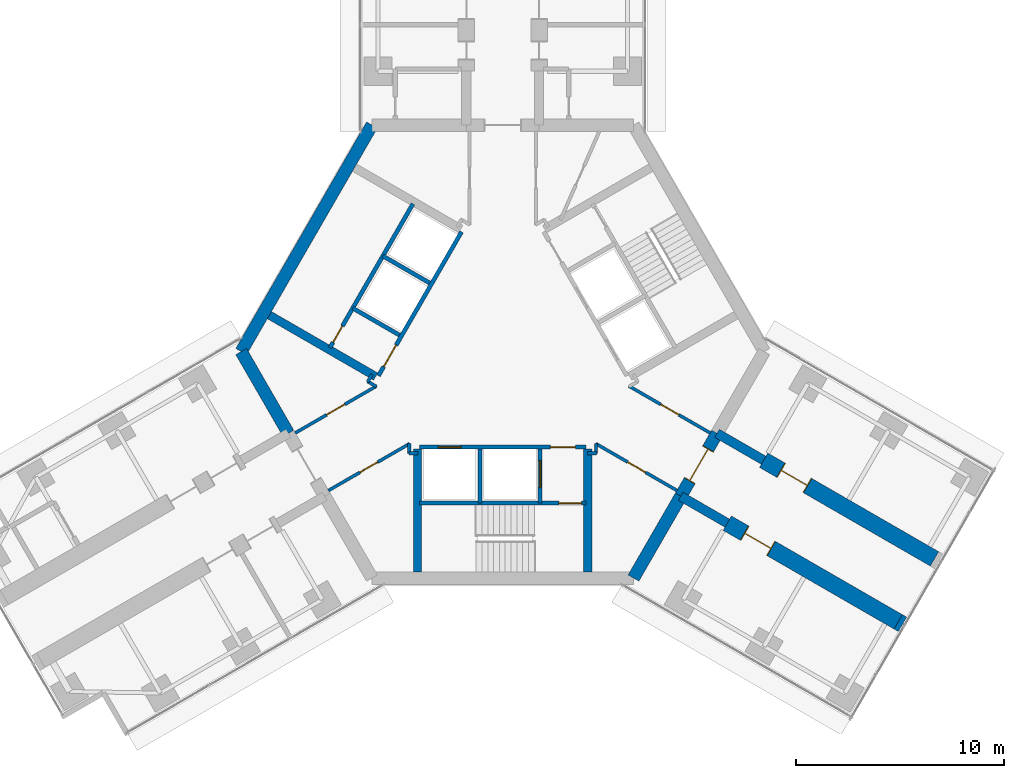
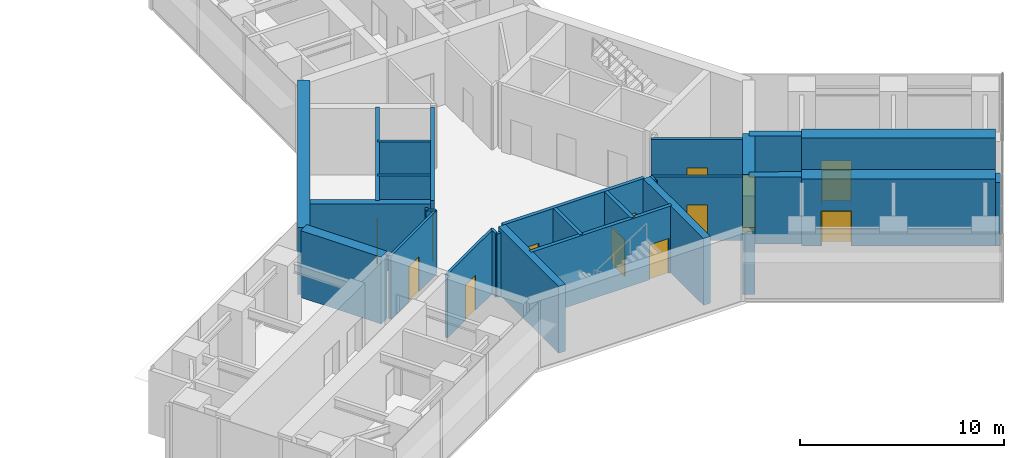
# One storey, part 18 of 21: 30 walls, 13 doors, 13 openings.
"""IFC4 building model written with IfcOpenShell, lengths in metres."""

from ifc_helpers import new_model, si_unit, direction, frame, frame_2d, origin, place, context, subcontext, project, spatial, rectangle, extrude, material, layer, layer_set, type_object, element, fill, save


model = new_model("IFC4")

# Units and contexts
model_context = context("Model", 3, precision=1e-05, world=origin(), true_north=direction((0.0, 1.0)))
body_context = subcontext(model_context, "Body", "Model", "MODEL_VIEW")
ifc_project = project(units=[si_unit("LENGTHUNIT", "METRE"), si_unit("AREAUNIT", "SQUARE_METRE"), si_unit("VOLUMEUNIT", "CUBIC_METRE"), si_unit("PLANEANGLEUNIT", "RADIAN"), si_unit("MASSUNIT", "GRAM", prefix="KILO")], contexts=[model_context])

# Site, building, storey
site_placement = place(None, origin())
site = spatial("IfcSite", under=ifc_project, at=site_placement, CompositionType="ELEMENT")
building_placement = place(site_placement, origin())
building = spatial("IfcBuilding", under=site, at=building_placement, Name="Upepo Twin Towers", CompositionType="ELEMENT")
storey_placement = place(building_placement, frame((0.0, 0.0, 101.5)))
storey = spatial("IfcBuildingStorey", under=building, at=storey_placement, Name="L24", CompositionType="ELEMENT", Elevation=101.5)

# Walls
ifc_material_1 = material(Name="Dense concrete blockwork", Category="masonry")
ifc_layer_1 = layer(ifc_material_1, 0.800048828125)
ifc_layer_set_1 = layer_set([ifc_layer_1], Name="Buttress closer 800, blockwork with fire-stopping to the curtain wall")
wall_type_1 = type_object("IfcWallType", Name="Buttress closer 800, blockwork with fire-stopping to the curtain wall", PredefinedType="PARTITIONING", material=ifc_layer_set_1)
wall_1_placement = place(storey_placement, frame((77.543701171875, -31.015625, 0.0), z_axis=(0.0, 0.0, 1.0), x_axis=(0.865827443207, -0.500342721131, 0.0)))
element("IfcWall", 1, at=wall_1_placement, inside=storey, type_object=wall_type_1, Name="T2 L24 wing C buttress closer R", PredefinedType="PARTITIONING", context=body_context, shape_type="SweptSolid", body=[
    extrude(rectangle(XDim=0.249755859375, YDim=0.800048828125, at=frame_2d((0.125, 0.0))), origin(), (0.0, 0.0, 1.0), 3.800048828125),
])
ifc_material_2 = material(Name="Concrete C60/75", Category="concrete")
ifc_layer_2 = layer(ifc_material_2, 0.449951171875)
ifc_layer_set_2 = layer_set([ifc_layer_2], Name="Concrete C60/75")
wall_type_2 = type_object("IfcWallType", Name="Buttress wall 450 RC", PredefinedType="SHEAR", material=ifc_layer_set_2)
for number, where, z_axis, x_axis, name in (
    (2, (68.82177734375, -21.938720703125, 0.0), (0.0, 0.0, 1.0), (0.866072649678, -0.499918158782, 0.0), "T2 wing C buttress wall L"),
    (3, (67.07177734375, -24.9697265625, 0.0), (0.0, 0.0, 1.0), (0.866031863473, -0.499988811324, 0.0), "T2 wing C buttress wall R"),
):
    element("IfcWall", number, at=place(storey_placement, frame(where, z_axis=z_axis, x_axis=x_axis)), inside=storey, type_object=wall_type_2, Name=name, PredefinedType="SHEAR", context=body_context, shape_type="SweptSolid", body=[
        extrude(rectangle(XDim=2.591796875, YDim=0.449951171875, at=frame_2d((1.2958984375, 0.0))), origin(), (0.0, 0.0, 1.0), 4.0),
    ])

# Wall, opening, door
ifc_material_3 = material(Name="Concrete C60/75", Category="concrete")
ifc_layer_3 = layer(ifc_material_3, 0.800048828125)
ifc_layer_set_3 = layer_set([ifc_layer_3], Name="Concrete C60/75")
wall_type_3 = type_object("IfcWallType", Name="Buttress wall 800 RC", PredefinedType="SHEAR", material=ifc_layer_set_3)
wall_2_placement = place(storey_placement, frame((71.06640625, -23.234375, 0.0), z_axis=(0.0, 0.0, 1.0), x_axis=(0.86602681393, -0.499997557548, 0.0)))
wall_2 = element("IfcWall", 4, at=wall_2_placement, inside=storey, type_object=wall_type_3, Name="T2 wing C buttress wall L part 2", PredefinedType="SHEAR", context=body_context, shape_type="SweptSolid", body=[
    extrude(rectangle(XDim=9.5, YDim=0.800048828125, at=frame_2d((4.75, 0.0))), origin(), (0.0, 0.0, 1.0), 4.0),
])
opening_1_placement = place(wall_2_placement, frame((0.949951171875, 0.0, 0.0)))
opening_1 = element("IfcOpeningElement", 5, at=opening_1_placement, cuts=wall_2, Name="Opening D13", PredefinedType="OPENING", context=body_context, shape_type="SweptSolid", body=[
    extrude(rectangle(XDim=1.5, YDim=2.10009765625, at=frame_2d((0.75, 1.050048828125))), frame((0.0, 0.409912109375, 0.0), z_axis=(0.0, -1.0, 0.0), x_axis=(1.0, 0.0, 0.0)), (0.0, 0.0, 1.0), 0.820068359375),
])
ifc_material_4 = material(Name="Timber doorset", Category="wood")
door_type_1 = type_object("IfcDoorType", Name="Double door 1500 FD30", OperationType="DOUBLE_DOOR_SINGLE_SWING", PredefinedType="DOOR", material=ifc_material_4)
door_1_placement = place(opening_1_placement, origin())
door_1 = element("IfcDoor", 6, at=door_1_placement, inside=storey, type_object=door_type_1, Name="T2 L24 tutorial room door", OperationType="DOUBLE_DOOR_SINGLE_SWING", OverallHeight=2.10009765625, OverallWidth=1.5, PredefinedType="DOOR", context=body_context, shape_type="SweptSolid", body=[
    extrude(rectangle(XDim=1.42, YDim=2.06009765625, at=frame_2d((0.75, 1.030029296875))), frame((0.0, 0.02490234375, 0.0), z_axis=(0.0, -1.0, 0.0), x_axis=(1.0, 0.0, 0.0)), (0.0, 0.0, 1.0), 0.050048828125),
    extrude(rectangle(XDim=0.04, YDim=2.10009765625, at=frame_2d((0.02001953125, 1.050048828125))), frame((0.0, 0.39990234375, 0.0), z_axis=(0.0, -1.0, 0.0), x_axis=(1.0, 0.0, 0.0)), (0.0, 0.0, 1.0), 0.799560546875),
    extrude(rectangle(XDim=0.04, YDim=2.10009765625, at=frame_2d((1.47998046875, 1.050048828125))), frame((0.0, 0.39990234375, 0.0), z_axis=(0.0, -1.0, 0.0), x_axis=(1.0, 0.0, 0.0)), (0.0, 0.0, 1.0), 0.799560546875),
    extrude(rectangle(XDim=1.42, YDim=0.04, at=frame_2d((0.75, 2.080078125))), frame((0.0, 0.39990234375, 0.0), z_axis=(0.0, -1.0, 0.0), x_axis=(1.0, 0.0, 0.0)), (0.0, 0.0, 1.0), 0.799560546875),
])
fill(opening_1, door_1)

wall_3_placement = place(storey_placement, frame((69.31640625, -26.265625, 0.0), z_axis=(0.0, 0.0, 1.0), x_axis=(0.86602681393, -0.499997557548, 0.0)))
wall_3 = element("IfcWall", 7, at=wall_3_placement, inside=storey, type_object=wall_type_3, Name="T2 wing C buttress wall R part 2", PredefinedType="SHEAR", context=body_context, shape_type="SweptSolid", body=[
    extrude(rectangle(XDim=9.5, YDim=0.800048828125, at=frame_2d((4.75, 0.0))), origin(), (0.0, 0.0, 1.0), 4.0),
])
opening_2_placement = place(wall_3_placement, frame((0.949951171875, 0.0, 0.0)))
opening_2 = element("IfcOpeningElement", 8, at=opening_2_placement, cuts=wall_3, Name="Opening D13", PredefinedType="OPENING", context=body_context, shape_type="SweptSolid", body=[
    extrude(rectangle(XDim=1.5, YDim=2.10009765625, at=frame_2d((0.75, 1.050048828125))), frame((0.0, 0.409912109375, 0.0), z_axis=(0.0, -1.0, 0.0), x_axis=(1.0, 0.0, 0.0)), (0.0, 0.0, 1.0), 0.820068359375),
])
door_2_placement = place(opening_2_placement, origin())
door_2 = element("IfcDoor", 9, at=door_2_placement, inside=storey, type_object=door_type_1, Name="T2 L24 tutorial room door", OperationType="DOUBLE_DOOR_SINGLE_SWING", OverallHeight=2.10009765625, OverallWidth=1.5, PredefinedType="DOOR", context=body_context, shape_type="SweptSolid", body=[
    extrude(rectangle(XDim=1.42, YDim=2.06009765625, at=frame_2d((0.75, 1.030029296875))), frame((0.0, 0.02490234375, 0.0), z_axis=(0.0, -1.0, 0.0), x_axis=(1.0, 0.0, 0.0)), (0.0, 0.0, 1.0), 0.050048828125),
    extrude(rectangle(XDim=0.04, YDim=2.10009765625, at=frame_2d((0.02001953125, 1.050048828125))), frame((0.0, 0.39990234375, 0.0), z_axis=(0.0, -1.0, 0.0), x_axis=(1.0, 0.0, 0.0)), (0.0, 0.0, 1.0), 0.799560546875),
    extrude(rectangle(XDim=0.04, YDim=2.10009765625, at=frame_2d((1.47998046875, 1.050048828125))), frame((0.0, 0.39990234375, 0.0), z_axis=(0.0, -1.0, 0.0), x_axis=(1.0, 0.0, 0.0)), (0.0, 0.0, 1.0), 0.799560546875),
    extrude(rectangle(XDim=1.42, YDim=0.04, at=frame_2d((0.75, 2.080078125))), frame((0.0, 0.39990234375, 0.0), z_axis=(0.0, -1.0, 0.0), x_axis=(1.0, 0.0, 0.0)), (0.0, 0.0, 1.0), 0.799560546875),
])
fill(opening_2, door_2)

# Walls
ifc_material_5 = material(Name="Concrete C60/75", Category="concrete")
ifc_layer_4 = layer(ifc_material_5, 0.60009765625)
ifc_layer_set_4 = layer_set([ifc_layer_4], Name="Concrete C60/75")
wall_type_4 = type_object("IfcWallType", Name="Core wall 600 RC", PredefinedType="SHEAR", material=ifc_layer_set_4)
wall_4_placement = place(storey_placement, frame((52.2021484375, -7.091552734375, 0.0), z_axis=(0.0, 0.0, 1.0), x_axis=(-0.500005998175, -0.866021940709, 0.0)))
element("IfcWall", 10, at=wall_4_placement, inside=storey, type_object=wall_type_4, Name="T2 core wall 060", PredefinedType="SHEAR", context=body_context, shape_type="SweptSolid", body=[
    extrude(rectangle(XDim=12.595947265625, YDim=0.60009765625, at=frame_2d((6.2978515625, 0.0))), origin(), (0.0, 0.0, 1.0), 4.0),
])
for number, where, z_axis, x_axis, name in (
    (11, (45.904052734375, -18.0, 0.0), (0.0, 0.0, 1.0), (0.500024481964, -0.866011268655, 0.0), "T2 core wall 120 R"),
    (12, (64.7978515625, -28.908447265625, 0.0), (0.0, 0.0, 1.0), (0.499984222037, 0.866034513004, 0.0), "T2 core wall 240 R"),
):
    element("IfcWall", number, at=place(storey_placement, frame(where, z_axis=z_axis, x_axis=x_axis)), inside=storey, type_object=wall_type_4, Name=name, PredefinedType="SHEAR", context=body_context, shape_type="SweptSolid", body=[
        extrude(rectangle(XDim=4.548095703125, YDim=0.60009765625, at=frame_2d((2.27392578125, 0.0))), origin(), (0.0, 0.0, 1.0), 4.0),
    ])

# Wall, opening, door
wall_5_placement = place(storey_placement, frame((67.07177734375, -24.9697265625, 0.0), z_axis=(0.0, 0.0, 1.0), x_axis=(0.500010275428, 0.866019471182, 0.0)))
wall_5 = element("IfcWall", 13, at=wall_5_placement, inside=storey, type_object=wall_type_4, Name="T2 core wall 240", PredefinedType="SHEAR", context=body_context, shape_type="SweptSolid", body=[
    extrude(rectangle(XDim=3.5, YDim=0.60009765625, at=frame_2d((1.75, 0.0))), origin(), (0.0, 0.0, 1.0), 4.0),
])
opening_3_placement = place(wall_5_placement, frame((0.85009765625, 0.0, 0.0)))
opening_3 = element("IfcOpeningElement", 14, at=opening_3_placement, cuts=wall_5, Name="Opening D2", PredefinedType="OPENING", context=body_context, shape_type="SweptSolid", body=[
    extrude(rectangle(XDim=1.800048828125, YDim=2.10009765625, at=frame_2d((0.89990234375, 1.050048828125))), frame((0.0, 0.31005859375, 0.0), z_axis=(0.0, -1.0, 0.0), x_axis=(1.0, 0.0, 0.0)), (0.0, 0.0, 1.0), 0.6201171875),
])
ifc_material_6 = material(Name="Timber doorset", Category="wood")
door_type_2 = type_object("IfcDoorType", Name="Corridor double door 1800 FD60", OperationType="DOUBLE_DOOR_DOUBLE_SWING", PredefinedType="DOOR", material=ifc_material_6)
door_3_placement = place(opening_3_placement, origin())
door_3 = element("IfcDoor", 15, at=door_3_placement, inside=storey, type_object=door_type_2, Name="T2 L24 wing C corridor door", OperationType="DOUBLE_DOOR_DOUBLE_SWING", OverallHeight=2.10009765625, OverallWidth=1.800048828125, PredefinedType="DOOR", context=body_context, shape_type="SweptSolid", body=[
    extrude(rectangle(XDim=1.720048828125, YDim=2.06009765625, at=frame_2d((0.89990234375, 1.030029296875))), frame((0.0, 0.02490234375, 0.0), z_axis=(0.0, -1.0, 0.0), x_axis=(1.0, 0.0, 0.0)), (0.0, 0.0, 1.0), 0.050048828125),
    extrude(rectangle(XDim=0.04, YDim=2.10009765625, at=frame_2d((0.02001953125, 1.050048828125))), frame((0.0, 0.2998046875, 0.0), z_axis=(0.0, -1.0, 0.0), x_axis=(1.0, 0.0, 0.0)), (0.0, 0.0, 1.0), 0.599609375),
    extrude(rectangle(XDim=0.04, YDim=2.10009765625, at=frame_2d((1.780029296875, 1.050048828125))), frame((0.0, 0.2998046875, 0.0), z_axis=(0.0, -1.0, 0.0), x_axis=(1.0, 0.0, 0.0)), (0.0, 0.0, 1.0), 0.599609375),
    extrude(rectangle(XDim=1.720048828125, YDim=0.04, at=frame_2d((0.89990234375, 2.080078125))), frame((0.0, 0.2998046875, 0.0), z_axis=(0.0, -1.0, 0.0), x_axis=(1.0, 0.0, 0.0)), (0.0, 0.0, 1.0), 0.599609375),
])
fill(opening_3, door_3)

ifc_material_7 = material(Name="Concrete C40/50", Category="concrete")
ifc_layer_5 = layer(ifc_material_7, 0.199951171875)
ifc_layer_set_5 = layer_set([ifc_layer_5], Name="Concrete C40/50")
wall_type_5 = type_object("IfcWallType", Name="Shaft wall 200 RC", PredefinedType="SHEAR", material=ifc_layer_set_5)
wall_6_placement = place(storey_placement, frame((56.516357421875, -12.23583984375, 0.0), z_axis=(0.0, 0.0, 1.0), x_axis=(-0.49999894854, -0.866026010844, 0.0)))
wall_6 = element("IfcWall", 16, at=wall_6_placement, inside=storey, type_object=wall_type_5, Name="T2 core W60 front wall", PredefinedType="SHEAR", context=body_context, shape_type="SweptSolid", body=[
    extrude(rectangle(XDim=8.0, YDim=0.199951171875, at=frame_2d((4.0, 0.0))), origin(), (0.0, 0.0, 1.0), 4.0),
])
opening_4_placement = place(wall_6_placement, frame((6.300048828125, 0.0, 0.0)))
opening_4 = element("IfcOpeningElement", 17, at=opening_4_placement, cuts=wall_6, Name="Opening D4", PredefinedType="OPENING", context=body_context, shape_type="SweptSolid", body=[
    extrude(rectangle(XDim=1.199951171875, YDim=2.10009765625, at=frame_2d((0.60009765625, 1.050048828125))), frame((0.0, 0.10986328125, 0.0), z_axis=(0.0, -1.0, 0.0), x_axis=(1.0, 0.0, 0.0)), (0.0, 0.0, 1.0), 0.219970703125),
])
ifc_material_8 = material(Name="Timber doorset", Category="wood")
door_type_3 = type_object("IfcDoorType", Name="Lobby door 1200 FD60", OperationType="SINGLE_SWING_LEFT", PredefinedType="DOOR", material=ifc_material_8)
door_4_placement = place(opening_4_placement, origin())
door_4 = element("IfcDoor", 18, at=door_4_placement, inside=storey, type_object=door_type_3, Name="T2 L24 W60 lobby door", OperationType="SINGLE_SWING_RIGHT", OverallHeight=2.10009765625, OverallWidth=1.199951171875, PredefinedType="DOOR", context=body_context, shape_type="SweptSolid", body=[
    extrude(rectangle(XDim=1.199951171875, YDim=2.10009765625, at=frame_2d((0.60009765625, 1.050048828125))), frame((0.0, 0.02490234375, 0.0), z_axis=(0.0, -1.0, 0.0), x_axis=(1.0, 0.0, 0.0)), (0.0, 0.0, 1.0), 0.050048828125),
])
fill(opening_4, door_4)

# Walls
for number, where, z_axis, x_axis, name in (
    (19, (54.979736328125, -14.697265625, 0.0), (0.0, 0.0, 1.0), (-0.866062058628, 0.499936506574, 0.0), "T2 core W60 shaft divider"),
    (20, (53.52978515625, -17.208740234375, 0.0), (0.0, 0.0, 1.0), (-0.866062058628, 0.499936506574, 0.0), "T2 core W60 lobby wall"),
):
    element("IfcWall", number, at=place(storey_placement, frame(where, z_axis=z_axis, x_axis=x_axis)), inside=storey, type_object=wall_type_5, Name=name, PredefinedType="SHEAR", context=body_context, shape_type="SweptSolid", body=[
        extrude(rectangle(XDim=2.599853515625, YDim=0.199951171875, at=frame_2d((1.2998046875, 0.0))), origin(), (0.0, 0.0, 1.0), 4.0),
    ])

# Wall, opening, door
wall_7_placement = place(storey_placement, frame((54.177978515625, -10.885986328125, 0.0), z_axis=(0.0, 0.0, 1.0), x_axis=(-0.49999894854, -0.866026010844, 0.0)))
wall_7 = element("IfcWall", 21, at=wall_7_placement, inside=storey, type_object=wall_type_5, Name="T2 core W60 stair wall", PredefinedType="SHEAR", context=body_context, shape_type="SweptSolid", body=[
    extrude(rectangle(XDim=8.0, YDim=0.199951171875, at=frame_2d((4.0, 0.0))), origin(), (0.0, 0.0, 1.0), 4.0),
])
opening_5_placement = place(wall_7_placement, frame((6.800048828125, 0.0, 0.0)))
opening_5 = element("IfcOpeningElement", 22, at=opening_5_placement, cuts=wall_7, Name="Opening D9", PredefinedType="OPENING", context=body_context, shape_type="SweptSolid", body=[
    extrude(rectangle(XDim=0.89990234375, YDim=2.10009765625, at=frame_2d((0.449951171875, 1.050048828125))), frame((0.0, 0.10986328125, 0.0), z_axis=(0.0, -1.0, 0.0), x_axis=(1.0, 0.0, 0.0)), (0.0, 0.0, 1.0), 0.219970703125),
])
ifc_material_9 = material(Name="Timber doorset", Category="wood")
door_type_4 = type_object("IfcDoorType", Name="Riser door 900 FD60", OperationType="SINGLE_SWING_LEFT", PredefinedType="DOOR", material=ifc_material_9)
door_5_placement = place(opening_5_placement, origin())
door_5 = element("IfcDoor", 23, at=door_5_placement, inside=storey, type_object=door_type_4, Name="T2 L24 riser door", OperationType="SINGLE_SWING_RIGHT", OverallHeight=2.10009765625, OverallWidth=0.89990234375, PredefinedType="DOOR", context=body_context, shape_type="SweptSolid", body=[
    extrude(rectangle(XDim=0.89990234375, YDim=2.10009765625, at=frame_2d((0.449951171875, 1.050048828125))), frame((0.0, 0.02490234375, 0.0), z_axis=(0.0, -1.0, 0.0), x_axis=(1.0, 0.0, 0.0)), (0.0, 0.0, 1.0), 0.050048828125),
])
fill(opening_5, door_5)

# Wall, openings, doors
wall_8_placement = place(storey_placement, frame((54.5, -22.60009765625, 0.0), z_axis=(0.0, 0.0, 1.0), x_axis=(1.0, 0.0, 0.0)))
wall_8 = element("IfcWall", 24, at=wall_8_placement, inside=storey, type_object=wall_type_5, Name="T2 core W180 front wall", PredefinedType="SHEAR", context=body_context, shape_type="SweptSolid", body=[
    extrude(rectangle(XDim=8.0, YDim=0.199951171875, at=frame_2d((4.0, 0.0))), origin(), (0.0, 0.0, 1.0), 4.0),
])
opening_6_placement = place(wall_8_placement, frame((6.300048828125, 0.0, 0.0)))
opening_6 = element("IfcOpeningElement", 25, at=opening_6_placement, cuts=wall_8, Name="Opening D4", PredefinedType="OPENING", context=body_context, shape_type="SweptSolid", body=[
    extrude(rectangle(XDim=1.199951171875, YDim=2.10009765625, at=frame_2d((0.60009765625, 1.050048828125))), frame((0.0, 0.10986328125, 0.0), z_axis=(0.0, -1.0, 0.0), x_axis=(1.0, 0.0, 0.0)), (0.0, 0.0, 1.0), 0.219970703125),
])
opening_7_placement = place(wall_8_placement, frame((0.89990234375, 0.0, 0.0)))
opening_7 = element("IfcOpeningElement", 26, at=opening_7_placement, cuts=wall_8, Name="Opening LD1", PredefinedType="OPENING", context=body_context, shape_type="SweptSolid", body=[
    extrude(rectangle(XDim=1.10009765625, YDim=2.199951171875, at=frame_2d((0.550048828125, 1.10009765625))), frame((0.0, 0.10986328125, 0.0), z_axis=(0.0, -1.0, 0.0), x_axis=(1.0, 0.0, 0.0)), (0.0, 0.0, 1.0), 0.219970703125),
])
ifc_material_10 = material(Name="Steel doorset", Category="steel")
door_type_5 = type_object("IfcDoorType", Name="Lift landing door 1100", OperationType="DOUBLE_DOOR_SLIDING", PredefinedType="DOOR", material=ifc_material_10)
door_6_placement = place(opening_7_placement, origin())
door_6 = element("IfcDoor", 27, at=door_6_placement, inside=storey, type_object=door_type_5, Name="T2 L24 lift SV1 landing door", OperationType="DOUBLE_DOOR_SLIDING", OverallHeight=2.199951171875, OverallWidth=1.10009765625, PredefinedType="DOOR", context=body_context, shape_type="SweptSolid", body=[
    extrude(rectangle(XDim=1.10009765625, YDim=2.199951171875, at=frame_2d((0.550048828125, 1.10009765625))), frame((0.0, 0.02490234375, 0.0), z_axis=(0.0, -1.0, 0.0), x_axis=(1.0, 0.0, 0.0)), (0.0, 0.0, 1.0), 0.050048828125),
])
fill(opening_7, door_6)
door_7_placement = place(opening_6_placement, origin())
door_7 = element("IfcDoor", 28, at=door_7_placement, inside=storey, type_object=door_type_3, Name="T2 L24 W180 lobby door", OperationType="SINGLE_SWING_RIGHT", OverallHeight=2.10009765625, OverallWidth=1.199951171875, PredefinedType="DOOR", context=body_context, shape_type="SweptSolid", body=[
    extrude(rectangle(XDim=1.199951171875, YDim=2.10009765625, at=frame_2d((0.60009765625, 1.050048828125))), frame((0.0, 0.02490234375, 0.0), z_axis=(0.0, -1.0, 0.0), x_axis=(1.0, 0.0, 0.0)), (0.0, 0.0, 1.0), 0.050048828125),
])
fill(opening_6, door_7)

# Wall
wall_9_placement = place(storey_placement, frame((57.39990234375, -22.699951171875, 0.0), z_axis=(0.0, 0.0, 1.0), x_axis=(0.0, -1.0, 0.0)))
element("IfcWall", 29, at=wall_9_placement, inside=storey, type_object=wall_type_5, Name="T2 core W180 shaft divider", PredefinedType="SHEAR", context=body_context, shape_type="SweptSolid", body=[
    extrude(rectangle(XDim=2.60009765625, YDim=0.199951171875, at=frame_2d((1.300048828125, 0.0))), origin(), (0.0, 0.0, 1.0), 4.0),
])

# Wall, opening, door
wall_10_placement = place(storey_placement, frame((60.300048828125, -22.699951171875, 0.0), z_axis=(0.0, 0.0, 1.0), x_axis=(0.0, -1.0, 0.0)))
wall_10 = element("IfcWall", 30, at=wall_10_placement, inside=storey, type_object=wall_type_5, Name="T2 core W180 lobby wall", PredefinedType="SHEAR", context=body_context, shape_type="SweptSolid", body=[
    extrude(rectangle(XDim=2.60009765625, YDim=0.199951171875, at=frame_2d((1.300048828125, 0.0))), origin(), (0.0, 0.0, 1.0), 4.0),
])
opening_8_placement = place(wall_10_placement, frame((0.550048828125, 0.0, 0.0)))
opening_8 = element("IfcOpeningElement", 31, at=opening_8_placement, cuts=wall_10, Name="Opening LD2", PredefinedType="OPENING", context=body_context, shape_type="SweptSolid", body=[
    extrude(rectangle(XDim=1.300048828125, YDim=2.199951171875, at=frame_2d((0.64990234375, 1.10009765625))), frame((0.0, 0.10986328125, 0.0), z_axis=(0.0, -1.0, 0.0), x_axis=(1.0, 0.0, 0.0)), (0.0, 0.0, 1.0), 0.219970703125),
])
ifc_material_11 = material(Name="Steel doorset", Category="steel")
door_type_6 = type_object("IfcDoorType", Name="Firefighting lift landing door 1300", OperationType="DOUBLE_DOOR_SLIDING", PredefinedType="DOOR", material=ifc_material_11)
door_8_placement = place(opening_8_placement, origin())
door_8 = element("IfcDoor", 32, at=door_8_placement, inside=storey, type_object=door_type_6, Name="T2 L24 firefighting lift landing door", OperationType="DOUBLE_DOOR_SLIDING", OverallHeight=2.199951171875, OverallWidth=1.300048828125, PredefinedType="DOOR", context=body_context, shape_type="SweptSolid", body=[
    extrude(rectangle(XDim=1.300048828125, YDim=2.199951171875, at=frame_2d((0.64990234375, 1.10009765625))), frame((0.0, 0.02490234375, 0.0), z_axis=(0.0, -1.0, 0.0), x_axis=(1.0, 0.0, 0.0)), (0.0, 0.0, 1.0), 0.050048828125),
])
fill(opening_8, door_8)

wall_11_placement = place(storey_placement, frame((54.5, -25.300048828125, 0.0), z_axis=(0.0, 0.0, 1.0), x_axis=(1.0, 0.0, 0.0)))
wall_11 = element("IfcWall", 33, at=wall_11_placement, inside=storey, type_object=wall_type_5, Name="T2 core W180 stair wall", PredefinedType="SHEAR", context=body_context, shape_type="SweptSolid", body=[
    extrude(rectangle(XDim=8.0, YDim=0.199951171875, at=frame_2d((4.0, 0.0))), origin(), (0.0, 0.0, 1.0), 4.0),
])
opening_9_placement = place(wall_11_placement, frame((6.699951171875, 0.0, 0.0)))
opening_9 = element("IfcOpeningElement", 34, at=opening_9_placement, cuts=wall_11, Name="Opening D3", PredefinedType="OPENING", context=body_context, shape_type="SweptSolid", body=[
    extrude(rectangle(XDim=1.10009765625, YDim=2.10009765625, at=frame_2d((0.550048828125, 1.050048828125))), frame((0.0, 0.10986328125, 0.0), z_axis=(0.0, -1.0, 0.0), x_axis=(1.0, 0.0, 0.0)), (0.0, 0.0, 1.0), 0.219970703125),
])
ifc_material_12 = material(Name="Timber doorset", Category="wood")
door_type_7 = type_object("IfcDoorType", Name="Stair door 1100 FD60", OperationType="SINGLE_SWING_LEFT", PredefinedType="DOOR", material=ifc_material_12)
door_9_placement = place(opening_9_placement, origin())
door_9 = element("IfcDoor", 35, at=door_9_placement, inside=storey, type_object=door_type_7, Name="T2 L24 stair door", OperationType="SINGLE_SWING_RIGHT", OverallHeight=2.10009765625, OverallWidth=1.10009765625, PredefinedType="DOOR", context=body_context, shape_type="SweptSolid", body=[
    extrude(rectangle(XDim=1.10009765625, YDim=2.10009765625, at=frame_2d((0.550048828125, 1.050048828125))), frame((0.0, 0.02490234375, 0.0), z_axis=(0.0, -1.0, 0.0), x_axis=(1.0, 0.0, 0.0)), (0.0, 0.0, 1.0), 0.050048828125),
])
fill(opening_9, door_9)

# Walls
ifc_material_13 = material(Name="Concrete C40/50", Category="concrete")
ifc_layer_6 = layer(ifc_material_13, 0.39990234375)
ifc_layer_set_6 = layer_set([ifc_layer_6], Name="Concrete C40/50")
wall_type_6 = type_object("IfcWallType", Name="Shaft wall 400 RC", PredefinedType="SHEAR", material=ifc_layer_set_6)
wall_12_placement = place(storey_placement, frame((52.379638671875, -19.20068359375, 0.0), z_axis=(0.0, 0.0, 1.0), x_axis=(-0.866027317282, 0.49999668571, 0.0)))
element("IfcWall", 36, at=wall_12_placement, inside=storey, type_object=wall_type_6, Name="T2 core W60 side wall N", PredefinedType="SHEAR", context=body_context, shape_type="SweptSolid", body=[
    extrude(rectangle(XDim=5.908203125, YDim=0.39990234375, at=frame_2d((2.9541015625, 0.0))), origin(), (0.0, 0.0, 1.0), 4.0),
])
for number, where, z_axis, x_axis, name in (
    (37, (62.60009765625, -22.699951171875, 0.0), (0.0, 0.0, 1.0), (0.0, -1.0, 0.0), "T2 core W180 side wall N"),
    (38, (54.39990234375, -22.699951171875, 0.0), (0.0, 0.0, 1.0), (0.0, -1.0, 0.0), "T2 core W180 side wall S"),
):
    element("IfcWall", number, at=place(storey_placement, frame(where, z_axis=z_axis, x_axis=x_axis)), inside=storey, type_object=wall_type_6, Name=name, PredefinedType="SHEAR", context=body_context, shape_type="SweptSolid", body=[
        extrude(rectangle(XDim=5.908447265625, YDim=0.39990234375, at=frame_2d((2.9541015625, 0.0))), origin(), (0.0, 0.0, 1.0), 4.0),
    ])
ifc_material_14 = material(Name="Gypsum board on steel studs", Category="steel")
ifc_layer_7 = layer(ifc_material_14, 0.14990234375)
ifc_layer_set_7 = layer_set([ifc_layer_7], Name="Teaching partition 150 acoustic")
wall_type_7 = type_object("IfcWallType", Name="Teaching partition 150 acoustic", PredefinedType="PARTITIONING", material=ifc_layer_set_7)
wall_13_placement = place(storey_placement, frame((54.0, -22.919921875, 0.0), z_axis=(0.0, 0.0, 1.0), x_axis=(0.0, 1.0, 0.0)))
element("IfcWall", 39, at=wall_13_placement, inside=storey, type_object=wall_type_7, Name="T2 core room partition 1", PredefinedType="PARTITIONING", context=body_context, shape_type="SweptSolid", body=[
    extrude(rectangle(XDim=0.494384765625, YDim=0.14990234375, at=frame_2d((0.2470703125, 0.0))), origin(), (0.0, 0.0, 1.0), 3.800048828125),
])

# Wall, opening, door
wall_14_placement = place(storey_placement, frame((54.017333984375, -22.435546875, 0.0), z_axis=(0.0, 0.0, 1.0), x_axis=(-0.86602002524, -0.500009315796, 0.0)))
wall_14 = element("IfcWall", 40, at=wall_14_placement, inside=storey, type_object=wall_type_7, Name="T2 core room partition 2", PredefinedType="PARTITIONING", context=body_context, shape_type="SweptSolid", body=[
    extrude(rectangle(XDim=4.5185546875, YDim=0.14990234375, at=frame_2d((2.25927734375, 0.0))), origin(), (0.0, 0.0, 1.0), 3.800048828125),
])
opening_10_placement = place(wall_14_placement, frame((1.769287109375, 0.0, 0.0)))
opening_10 = element("IfcOpeningElement", 41, at=opening_10_placement, cuts=wall_14, Name="Opening D1", PredefinedType="OPENING", context=body_context, shape_type="SweptSolid", body=[
    extrude(rectangle(XDim=1.0, YDim=2.10009765625, at=frame_2d((0.5, 1.050048828125))), frame((0.0, 0.0849609375, 0.0), z_axis=(0.0, -1.0, 0.0), x_axis=(1.0, 0.0, 0.0)), (0.0, 0.0, 1.0), 0.169921875),
])
ifc_material_15 = material(Name="Timber doorset", Category="wood")
door_type_8 = type_object("IfcDoorType", Name="Room door 1000 FD30", OperationType="SINGLE_SWING_LEFT", PredefinedType="DOOR", material=ifc_material_15)
door_10_placement = place(opening_10_placement, origin())
door_10 = element("IfcDoor", 42, at=door_10_placement, inside=storey, type_object=door_type_8, Name="T2 L24 core room door K2", OperationType="SINGLE_SWING_RIGHT", OverallHeight=2.10009765625, OverallWidth=1.0, PredefinedType="DOOR", context=body_context, shape_type="SweptSolid", body=[
    extrude(rectangle(XDim=1.0, YDim=2.10009765625, at=frame_2d((0.5, 1.050048828125))), frame((0.0, 0.02490234375, 0.0), z_axis=(0.0, -1.0, 0.0), x_axis=(1.0, 0.0, 0.0)), (0.0, 0.0, 1.0), 0.050048828125),
])
fill(opening_10, door_10)

wall_15_placement = place(storey_placement, frame((48.50439453125, -21.923583984375, 0.0), z_axis=(0.0, 0.0, 1.0), x_axis=(0.866006515865, 0.500032713409, 0.0)))
wall_15 = element("IfcWall", 43, at=wall_15_placement, inside=storey, type_object=wall_type_7, Name="T2 core room partition 3", PredefinedType="PARTITIONING", context=body_context, shape_type="SweptSolid", body=[
    extrude(rectangle(XDim=4.518310546875, YDim=0.14990234375, at=frame_2d((2.25927734375, 0.0))), origin(), (0.0, 0.0, 1.0), 3.800048828125),
])
opening_11_placement = place(wall_15_placement, frame((1.7490234375, 0.0, 0.0)))
opening_11 = element("IfcOpeningElement", 44, at=opening_11_placement, cuts=wall_15, Name="Opening D1", PredefinedType="OPENING", context=body_context, shape_type="SweptSolid", body=[
    extrude(rectangle(XDim=1.0, YDim=2.10009765625, at=frame_2d((0.5, 1.050048828125))), frame((0.0, 0.0849609375, 0.0), z_axis=(0.0, -1.0, 0.0), x_axis=(1.0, 0.0, 0.0)), (0.0, 0.0, 1.0), 0.169921875),
])
door_11_placement = place(opening_11_placement, origin())
door_11 = element("IfcDoor", 45, at=door_11_placement, inside=storey, type_object=door_type_8, Name="T2 L24 core room door K1", OperationType="SINGLE_SWING_LEFT", OverallHeight=2.10009765625, OverallWidth=1.0, PredefinedType="DOOR", context=body_context, shape_type="SweptSolid", body=[
    extrude(rectangle(XDim=1.0, YDim=2.10009765625, at=frame_2d((0.5, 1.050048828125))), frame((0.0, 0.02490234375, 0.0), z_axis=(0.0, -1.0, 0.0), x_axis=(1.0, 0.0, 0.0)), (0.0, 0.0, 1.0), 0.050048828125),
])
fill(opening_11, door_11)

# Walls
wall_16_placement = place(storey_placement, frame((52.417236328125, -19.684326171875, 0.0), z_axis=(0.0, 0.0, 1.0), x_axis=(-0.865831790172, 0.50033519877, 0.0)))
element("IfcWall", 46, at=wall_16_placement, inside=storey, type_object=wall_type_7, Name="T2 core room partition 4", PredefinedType="PARTITIONING", context=body_context, shape_type="SweptSolid", body=[
    extrude(rectangle(XDim=0.494384765625, YDim=0.14990234375, at=frame_2d((0.2470703125, 0.0))), origin(), (0.0, 0.0, 1.0), 3.800048828125),
])
wall_17_placement = place(storey_placement, frame((51.99658203125, -19.46435546875, 0.0), z_axis=(0.0, 0.0, 1.0), x_axis=(0.499804398801, 0.866138304741, 0.0)))
element("IfcWall", 47, at=wall_17_placement, inside=storey, type_object=wall_type_7, Name="T2 core room partition 5", PredefinedType="PARTITIONING", context=body_context, shape_type="SweptSolid", body=[
    extrude(rectangle(XDim=0.429931640625, YDim=0.14990234375, at=frame_2d((0.21484375, 0.0))), origin(), (0.0, 0.0, 1.0), 3.800048828125),
])

# Wall, opening, door
wall_18_placement = place(storey_placement, frame((64.582763671875, -19.664306640625, 0.0), z_axis=(0.0, 0.0, 1.0), x_axis=(0.866006515865, -0.500032713409, 0.0)))
wall_18 = element("IfcWall", 48, at=wall_18_placement, inside=storey, type_object=wall_type_7, Name="T2 core room partition 14", PredefinedType="PARTITIONING", context=body_context, shape_type="SweptSolid", body=[
    extrude(rectangle(XDim=4.518310546875, YDim=0.14990234375, at=frame_2d((2.25927734375, 0.0))), origin(), (0.0, 0.0, 1.0), 3.800048828125),
])
opening_12_placement = place(wall_18_placement, frame((1.769287109375, 0.0, 0.0)))
opening_12 = element("IfcOpeningElement", 49, at=opening_12_placement, cuts=wall_18, Name="Opening D1", PredefinedType="OPENING", context=body_context, shape_type="SweptSolid", body=[
    extrude(rectangle(XDim=1.0, YDim=2.10009765625, at=frame_2d((0.5, 1.050048828125))), frame((0.0, 0.0849609375, 0.0), z_axis=(0.0, -1.0, 0.0), x_axis=(1.0, 0.0, 0.0)), (0.0, 0.0, 1.0), 0.169921875),
])
door_12_placement = place(opening_12_placement, origin())
door_12 = element("IfcDoor", 50, at=door_12_placement, inside=storey, type_object=door_type_8, Name="T2 L24 core room door K4", OperationType="SINGLE_SWING_RIGHT", OverallHeight=2.10009765625, OverallWidth=1.0, PredefinedType="DOOR", context=body_context, shape_type="SweptSolid", body=[
    extrude(rectangle(XDim=1.0, YDim=2.10009765625, at=frame_2d((0.5, 1.050048828125))), frame((0.0, 0.02490234375, 0.0), z_axis=(0.0, -1.0, 0.0), x_axis=(1.0, 0.0, 0.0)), (0.0, 0.0, 1.0), 0.050048828125),
])
fill(opening_12, door_12)

wall_19_placement = place(storey_placement, frame((66.895751953125, -24.69482421875, 0.0), z_axis=(0.0, 0.0, 1.0), x_axis=(-0.86602002524, 0.500009315796, 0.0)))
wall_19 = element("IfcWall", 51, at=wall_19_placement, inside=storey, type_object=wall_type_7, Name="T2 core room partition 15", PredefinedType="PARTITIONING", context=body_context, shape_type="SweptSolid", body=[
    extrude(rectangle(XDim=4.5185546875, YDim=0.14990234375, at=frame_2d((2.25927734375, 0.0))), origin(), (0.0, 0.0, 1.0), 3.800048828125),
])
opening_13_placement = place(wall_19_placement, frame((1.7490234375, 0.0, 0.0)))
opening_13 = element("IfcOpeningElement", 52, at=opening_13_placement, cuts=wall_19, Name="Opening D1", PredefinedType="OPENING", context=body_context, shape_type="SweptSolid", body=[
    extrude(rectangle(XDim=1.0, YDim=2.10009765625, at=frame_2d((0.5, 1.050048828125))), frame((0.0, 0.0849609375, 0.0), z_axis=(0.0, -1.0, 0.0), x_axis=(1.0, 0.0, 0.0)), (0.0, 0.0, 1.0), 0.169921875),
])
door_13_placement = place(opening_13_placement, origin())
door_13 = element("IfcDoor", 53, at=door_13_placement, inside=storey, type_object=door_type_8, Name="T2 L24 core room door K3", OperationType="SINGLE_SWING_LEFT", OverallHeight=2.10009765625, OverallWidth=1.0, PredefinedType="DOOR", context=body_context, shape_type="SweptSolid", body=[
    extrude(rectangle(XDim=1.0, YDim=2.10009765625, at=frame_2d((0.5, 1.050048828125))), frame((0.0, 0.02490234375, 0.0), z_axis=(0.0, -1.0, 0.0), x_axis=(1.0, 0.0, 0.0)), (0.0, 0.0, 1.0), 0.050048828125),
])
fill(opening_13, door_13)

# Walls
wall_20_placement = place(storey_placement, frame((63.0, -22.425537109375, 0.0), z_axis=(0.0, 0.0, 1.0), x_axis=(0.0, -1.0, 0.0)))
element("IfcWall", 54, at=wall_20_placement, inside=storey, type_object=wall_type_7, Name="T2 core room partition 16", PredefinedType="PARTITIONING", context=body_context, shape_type="SweptSolid", body=[
    extrude(rectangle(XDim=0.494384765625, YDim=0.14990234375, at=frame_2d((0.2470703125, 0.0))), origin(), (0.0, 0.0, 1.0), 3.800048828125),
])
for number, where, z_axis, x_axis, name in (
    (55, (63.02001953125, -22.89990234375, 0.0), (0.0, 0.0, 1.0), (-1.0, 0.0, 0.0), "T2 core room partition 17"),
    (56, (54.409912109375, -22.89990234375, 0.0), (0.0, 0.0, 1.0), (-1.0, 0.0, 0.0), "T2 core room partition 18"),
):
    element("IfcWall", number, at=place(storey_placement, frame(where, z_axis=z_axis, x_axis=x_axis)), inside=storey, type_object=wall_type_7, Name=name, PredefinedType="PARTITIONING", context=body_context, shape_type="SweptSolid", body=[
        extrude(rectangle(XDim=0.429931640625, YDim=0.14990234375, at=frame_2d((0.21484375, 0.0))), origin(), (0.0, 0.0, 1.0), 3.800048828125),
    ])

save(model, "model.ifc")
